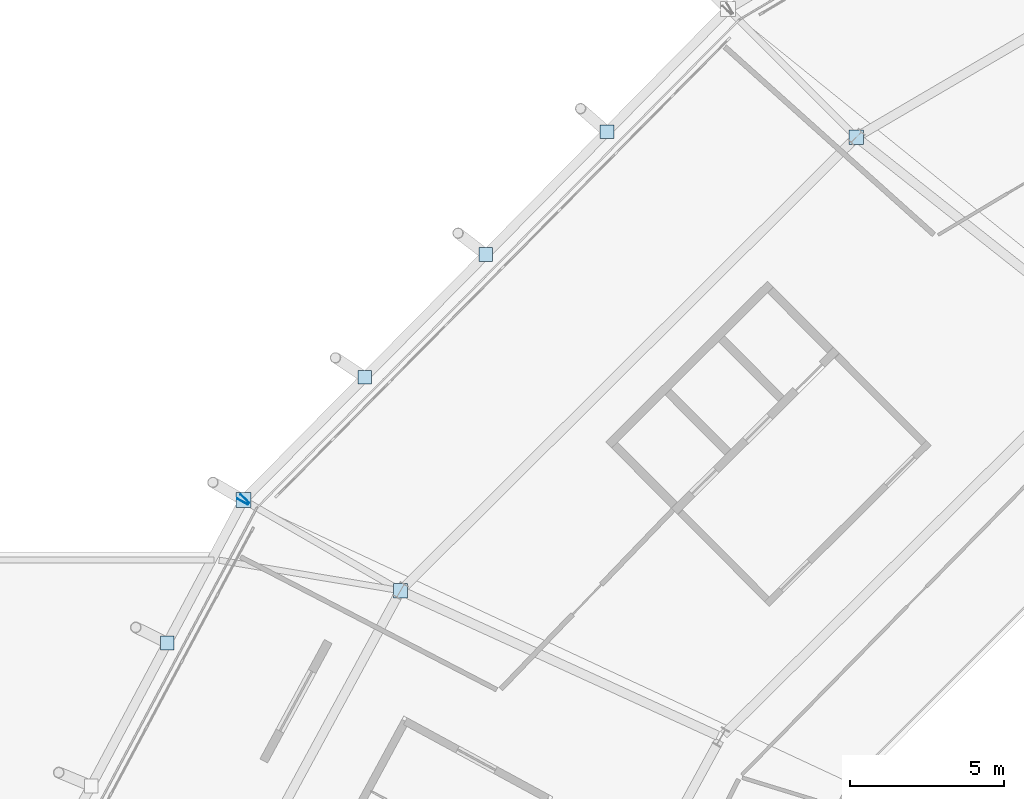
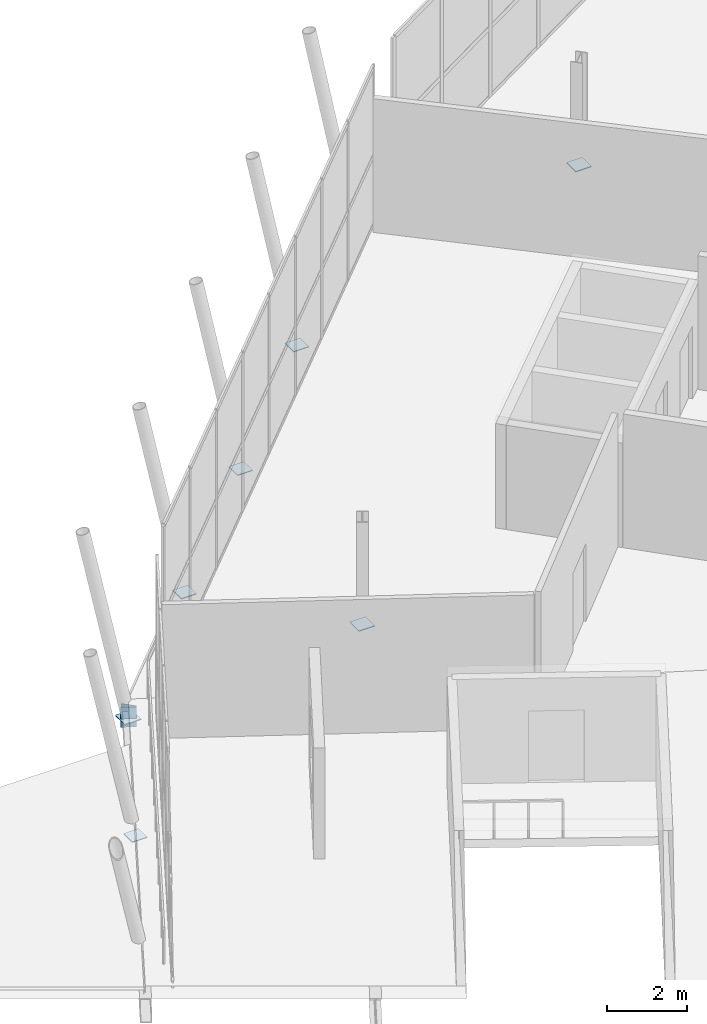
# One storey, part 69 of 99: 9 plates.
"""IFC4 building model written with IfcOpenShell, lengths in metres."""

from ifc_helpers import new_model, si_unit, direction, frame, origin, origin_2d, place, context, subcontext, project, spatial, rectangle, extrude, material, layer, layer_set, type_object, element, save


model = new_model("IFC4")

# Units and contexts
model_context = context("Model", 3, precision=1e-05, world=origin(), true_north=direction((0.0, 1.0)))
body_context = subcontext(model_context, "Body", "Model", "MODEL_VIEW")
ifc_project = project(units=[si_unit("LENGTHUNIT", "METRE"), si_unit("AREAUNIT", "SQUARE_METRE"), si_unit("VOLUMEUNIT", "CUBIC_METRE"), si_unit("PLANEANGLEUNIT", "RADIAN"), si_unit("MASSUNIT", "GRAM", prefix="KILO")], contexts=[model_context])

# Site, building, storey
site_placement = place(None, origin())
site = spatial("IfcSite", under=ifc_project, at=site_placement, CompositionType="ELEMENT")
building_placement = place(site_placement, origin())
building = spatial("IfcBuilding", under=site, at=building_placement, Name="Zlatoyarsky Gate Stadium", CompositionType="ELEMENT")
storey_placement = place(building_placement, frame((0.0, 0.0, 26.199951171875)))
storey = spatial("IfcBuildingStorey", under=building, at=storey_placement, Name="L05", CompositionType="ELEMENT", Elevation=26.199951171875)

# Plates
ifc_material = material(Name="Steel S355", Category="steel")
ifc_layer = layer(ifc_material, 0.02392578125)
ifc_layer_set = layer_set([ifc_layer], Name="Steel S355")
plate_type = type_object("IfcPlateType", Name="STEEL HOLLOW CHORD SPLICE SHEET 24", PredefinedType="SHEET", material=ifc_layer_set)
for number, where, z_axis, x_axis, name in (
    (1, (25.4111328125, 118.481689453125, -0.81005859375), (0.0, 0.0, 1.0), (-0.702431198843, -0.711751649729, 0.0), "Hollow end cap ND-SP1 CAP-L05-SPD-09 B"),
    (2, (25.3408203125, 118.385986328125, -0.81005859375), (0.0, 0.0, 1.0), (-0.47018795571, -0.88256630703, 0.0), "Hollow end cap ND-SP1 CAP-L05-SPD-10 A"),
):
    element("IfcPlate", number, at=place(storey_placement, frame(where, z_axis=z_axis, x_axis=x_axis)), inside=storey, type_object=plate_type, Name=name, PredefinedType="SHEET", context=body_context, shape_type="SweptSolid", body=[
        extrude(rectangle(XDim=0.02392578125, YDim=0.39990234375, at=origin_2d()), origin(), (0.0, 0.0, 1.0), 0.60009765625),
    ])
plate_1_placement = place(storey_placement, frame((25.369140625, 118.43896484375, -0.572021484375), z_axis=(0.0, 0.0, 1.0), x_axis=(1.0, 0.0, 0.0)))
element("IfcPlate", 3, at=plate_1_placement, inside=storey, type_object=plate_type, Name="Node closure plate ND-SP1 NCAP-L05-RSTR-10", PredefinedType="SHEET", context=body_context, shape_type="SweptSolid", body=[
    extrude(rectangle(XDim=0.47998046875, YDim=0.47998046875, at=origin_2d()), origin(), (0.0, 0.0, 1.0), 0.02392578125),
])
for number, where, z_axis, x_axis, name in (
    (4, (37.154296875, 130.380615234375, -0.52197265625), (0.0, 0.0, 1.0), (1.0, 0.0, 0.0), "Node closure plate ND-SP1 NCAP-RIB-09-1-3T"),
    (5, (33.225830078125, 126.39990234375, -0.52197265625), (0.0, 0.0, 1.0), (1.0, 0.0, 0.0), "Node closure plate ND-SP1 NCAP-RIB-09-2-3T"),
    (6, (29.297607421875, 122.41943359375, -0.52197265625), (0.0, 0.0, 1.0), (1.0, 0.0, 0.0), "Node closure plate ND-SP1 NCAP-RIB-09-3-3T"),
):
    element("IfcPlate", number, at=place(storey_placement, frame(where, z_axis=z_axis, x_axis=x_axis)), inside=storey, type_object=plate_type, Name=name, PredefinedType="SHEET", context=body_context, shape_type="SweptSolid", body=[
        extrude(rectangle(XDim=0.43994140625, YDim=0.43994140625, at=origin_2d()), origin(), (0.0, 0.0, 1.0), 0.02392578125),
    ])
plate_2_placement = place(storey_placement, frame((45.239013671875, 130.20458984375, 2.2880859375), z_axis=(0.0, 0.0, 1.0), x_axis=(1.0, 0.0, 0.0)))
element("IfcPlate", 7, at=plate_2_placement, inside=storey, type_object=plate_type, Name="Node closure plate ND-SP1 NCAP-BPROP-09", PredefinedType="SHEET", context=body_context, shape_type="SweptSolid", body=[
    extrude(rectangle(XDim=0.4599609375, YDim=0.4599609375, at=origin_2d()), origin(), (0.0, 0.0, 1.0), 0.02392578125),
])
plate_3_placement = place(storey_placement, frame((22.899658203125, 113.8037109375, -0.52197265625), z_axis=(0.0, 0.0, 1.0), x_axis=(1.0, 0.0, 0.0)))
element("IfcPlate", 8, at=plate_3_placement, inside=storey, type_object=plate_type, Name="Node closure plate ND-SP1 NCAP-RIB-10-1-3T", PredefinedType="SHEET", context=body_context, shape_type="SweptSolid", body=[
    extrude(rectangle(XDim=0.43994140625, YDim=0.43994140625, at=origin_2d()), origin(), (0.0, 0.0, 1.0), 0.02392578125),
])
plate_4_placement = place(storey_placement, frame((30.459716796875, 115.5, 2.2880859375), z_axis=(0.0, 0.0, 1.0), x_axis=(1.0, 0.0, 0.0)))
element("IfcPlate", 9, at=plate_4_placement, inside=storey, type_object=plate_type, Name="Node closure plate ND-SP1 NCAP-BPROP-10", PredefinedType="SHEET", context=body_context, shape_type="SweptSolid", body=[
    extrude(rectangle(XDim=0.4599609375, YDim=0.4599609375, at=origin_2d()), origin(), (0.0, 0.0, 1.0), 0.02392578125),
])

save(model, "model.ifc")
